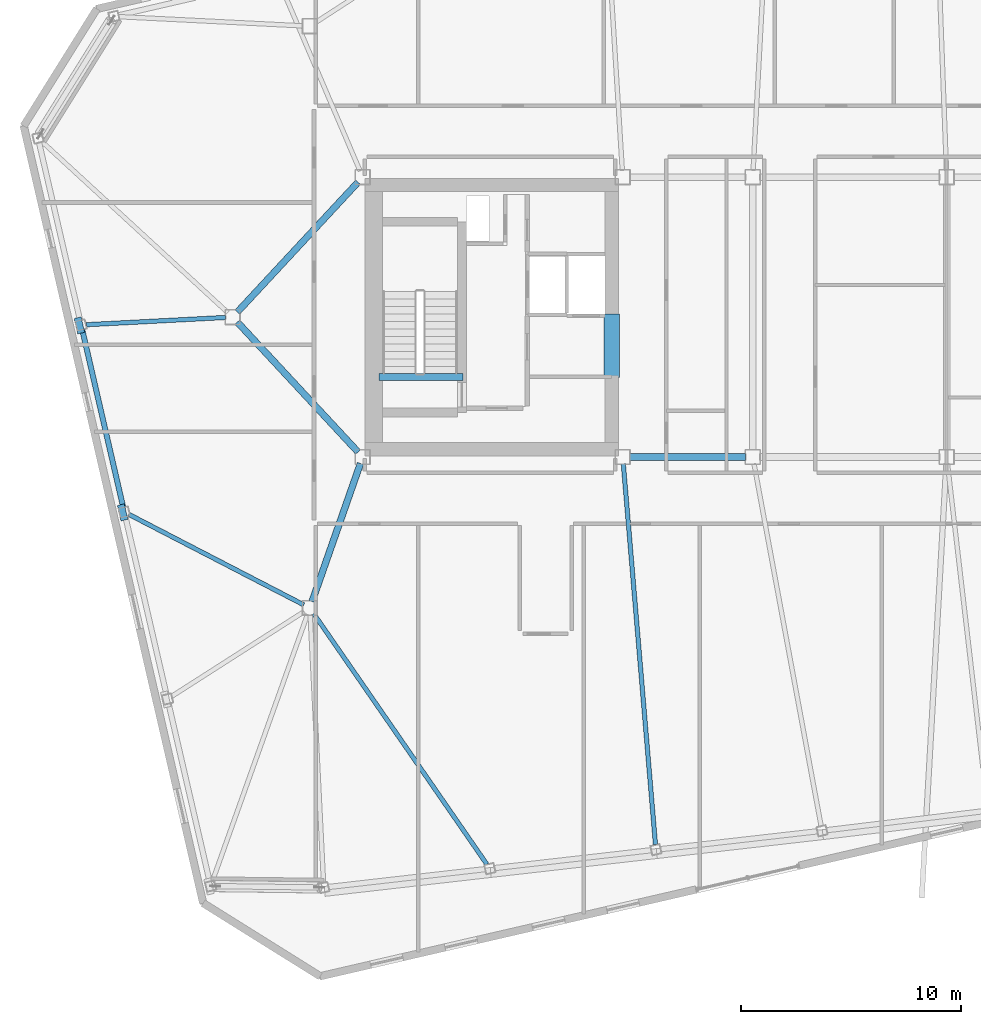
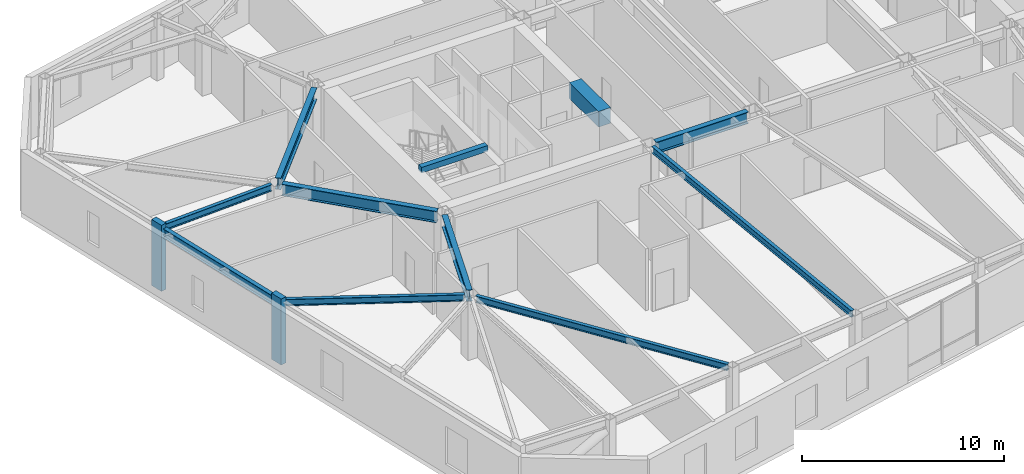
# One storey, part 6 of 24: 11 beams, 2 members.
"""IFC4 building model written with IfcOpenShell, lengths in metres."""

from ifc_helpers import new_model, si_unit, direction, frame, origin, origin_2d, place, context, subcontext, project, spatial, rectangle, i_section, extrude, material, material_profile, profile_set, type_object, element, save


model = new_model("IFC4")

# Units and contexts
model_context = context("Model", 3, precision=1e-05, world=origin(), true_north=direction((0.0, 1.0)))
body_context = subcontext(model_context, "Body", "Model", "MODEL_VIEW")
ifc_project = project(units=[si_unit("LENGTHUNIT", "METRE"), si_unit("AREAUNIT", "SQUARE_METRE"), si_unit("VOLUMEUNIT", "CUBIC_METRE"), si_unit("PLANEANGLEUNIT", "RADIAN"), si_unit("MASSUNIT", "GRAM", prefix="KILO")], contexts=[model_context])

# Site, building, storey
site_placement = place(None, origin())
site = spatial("IfcSite", under=ifc_project, at=site_placement, CompositionType="ELEMENT")
building_placement = place(site_placement, origin())
building = spatial("IfcBuilding", under=site, at=building_placement, Name="Tavrogorsk Clinical Tower", CompositionType="ELEMENT")
storey_placement = place(building_placement, frame((0.0, 0.0, 321.0)))
storey = spatial("IfcBuildingStorey", under=building, at=storey_placement, Name="L75", CompositionType="ELEMENT", Elevation=321.0)

# Beams
ifc_material_1 = material(Name="Concrete B80", Category="concrete")
ifc_material_profile_1 = material_profile(ifc_material_1, rectangle(XDim=0.699951171875, YDim=0.949951171875, at=origin_2d()), Name="RC-CB-700x950")
ifc_profile_set_1 = profile_set([ifc_material_profile_1], Name="Concrete B80")
beam_type_1 = type_object("IfcBeamType", Name="CouplingBeam_RC700x950", PredefinedType="LINTEL", material=ifc_profile_set_1)
beam_1_placement = place(storey_placement, frame((-10.800048828125, -2.75, 3.264892578125), z_axis=(0.0, 1.0, 0.0), x_axis=(-1.0, 0.0, 0.0)))
element("IfcBeam", 1, at=beam_1_placement, inside=storey, type_object=beam_type_1, Name="L75 Core West Coupling Beam", PredefinedType="LINTEL", context=body_context, shape_type="SweptSolid", body=[
    extrude(rectangle(XDim=0.699951171875, YDim=0.949951171875, at=origin_2d()), origin(), (0.0, 0.0, 1.0), 2.89990234375),
])
ifc_material_2 = material(Name="Structural steel S355", Category="steel")
ifc_material_profile_2 = material_profile(ifc_material_2, i_section(OverallWidth=0.199951171875, OverallDepth=0.39990234375, WebThickness=0.010498046875, FlangeThickness=0.01611328125, at=origin_2d()), Name="B-400x200x10.5x16")
ifc_profile_set_2 = profile_set([ifc_material_profile_2], Name="Structural steel S355")
beam_type_2 = type_object("IfcBeamType", Name="FloorBeam_B400", PredefinedType="BEAM", material=ifc_profile_set_2)
beam_2_placement = place(storey_placement, frame((-24.32373046875, -13.455078125, 3.5400390625), z_axis=(0.568335848504, -0.82279667191, 0.0), x_axis=(0.82279667191, 0.568335848504, 0.0)))
element("IfcBeam", 2, at=beam_2_placement, inside=storey, type_object=beam_type_2, Name="L75 Radial Floor Beam S2", PredefinedType="BEAM", context=body_context, shape_type="SweptSolid", body=[
    extrude(i_section(OverallWidth=0.199951171875, OverallDepth=0.39990234375, WebThickness=0.010498046875, FlangeThickness=0.01611328125, at=origin_2d()), origin(), (0.0, 0.0, 1.0), 13.831298828125),
])
beam_3_placement = place(storey_placement, frame((-10.27392578125, -6.658935546875, 3.5400390625), z_axis=(0.084215365049, -0.996447576288, 0.0), x_axis=(0.996447576288, 0.084215365049, 0.0)))
element("IfcBeam", 3, at=beam_3_placement, inside=storey, type_object=beam_type_2, Name="L75 Radial Floor Beam S3", PredefinedType="BEAM", context=body_context, shape_type="SweptSolid", body=[
    extrude(i_section(OverallWidth=0.199951171875, OverallDepth=0.39990234375, WebThickness=0.010498046875, FlangeThickness=0.01611328125, at=origin_2d()), origin(), (0.0, 0.0, 1.0), 17.3388671875),
])
beam_4_placement = place(storey_placement, frame((-28.3095703125, -0.01611328125, 3.5400390625), z_axis=(-0.99864101713, -0.052116397656, 0.0), x_axis=(0.052116397656, -0.99864101713, 0.0)))
element("IfcBeam", 4, at=beam_4_placement, inside=storey, type_object=beam_type_2, Name="L75 Radial Floor Beam W2", PredefinedType="BEAM", context=body_context, shape_type="SweptSolid", body=[
    extrude(i_section(OverallWidth=0.199951171875, OverallDepth=0.39990234375, WebThickness=0.010498046875, FlangeThickness=0.01611328125, at=origin_2d()), origin(), (0.0, 0.0, 1.0), 6.3427734375),
])
beam_5_placement = place(storey_placement, frame((-24.775390625, -13.0576171875, 3.5400390625), z_axis=(-0.888188417157, 0.459479418069, 0.0), x_axis=(-0.459479418069, -0.888188417157, 0.0)))
element("IfcBeam", 5, at=beam_5_placement, inside=storey, type_object=beam_type_2, Name="L75 Radial Floor Beam W3", PredefinedType="BEAM", context=body_context, shape_type="SweptSolid", body=[
    extrude(i_section(OverallWidth=0.199951171875, OverallDepth=0.39990234375, WebThickness=0.010498046875, FlangeThickness=0.01611328125, at=origin_2d()), origin(), (0.0, 0.0, 1.0), 8.93408203125),
])

# Members
ifc_material_3 = material(Name="Precast concrete B45 with limestone cladding", Category="masonry")
ifc_material_profile_3 = material_profile(ifc_material_3, rectangle(XDim=0.320068359375, YDim=0.719970703125, at=origin_2d()), Name="LIMESTONE-FIN-320x720")
ifc_profile_set_3 = profile_set([ifc_material_profile_3], Name="Precast concrete B45 with limestone cladding")
member_type = type_object("IfcMemberType", Name="LimestonePleatFin_320x720", PredefinedType="USERDEFINED", material=ifc_profile_set_3)
for number, where, z_axis, x_axis, name in (
    (6, (-34.95458984375, -0.376708984375, 0.0), (0.0, 0.0, 1.0), (0.974370064785, 0.224951054344, 0.0), "L75 W Pleated Stone Fin 1"),
    (7, (-32.995361328125, -8.863525390625, 0.0), (0.0, 0.0, 1.0), (0.974370064785, 0.224951054344, 0.0), "L75 W Pleated Stone Fin 2"),
):
    element("IfcMember", number, at=place(storey_placement, frame(where, z_axis=z_axis, x_axis=x_axis)), inside=storey, type_object=member_type, Name=name, ObjectType="FIN", PredefinedType="USERDEFINED", context=body_context, shape_type="SweptSolid", body=[
        extrude(rectangle(XDim=0.320068359375, YDim=0.719970703125, at=origin_2d()), origin(), (0.0, 0.0, 1.0), 4.0),
    ])

# Beams
ifc_material_4 = material(Name="Structural steel S390", Category="steel")
ifc_material_profile_4 = material_profile(ifc_material_4, i_section(OverallWidth=0.300048828125, OverallDepth=0.699951171875, WebThickness=0.01708984375, FlangeThickness=0.028076171875, at=origin_2d()), Name="B-700x300x17x28")
ifc_profile_set_4 = profile_set([ifc_material_profile_4], Name="Structural steel S390")
beam_type_3 = type_object("IfcBeamType", Name="PrimaryGirder_B700", PredefinedType="USERDEFINED", material=ifc_profile_set_4)
beam_6_placement = place(storey_placement, frame((-9.989990234375, -6.35009765625, 3.389892578125), z_axis=(1.0, 0.0, 0.0), x_axis=(0.0, 1.0, 0.0)))
element("IfcBeam", 8, at=beam_6_placement, inside=storey, type_object=beam_type_3, Name="L75 Primary Spine Girder MG-01", ObjectType="GIRDER", PredefinedType="USERDEFINED", context=body_context, shape_type="SweptSolid", body=[
    extrude(i_section(OverallWidth=0.300048828125, OverallDepth=0.699951171875, WebThickness=0.01708984375, FlangeThickness=0.028076171875, at=origin_2d()), origin(), (0.0, 0.0, 1.0), 5.280029296875),
])
beam_7_placement = place(storey_placement, frame((-24.3974609375, -12.907470703125, 3.389892578125), z_axis=(0.330666578092, 0.943747643246, 0.0), x_axis=(-0.943747643246, 0.330666578092, 0.0)))
element("IfcBeam", 9, at=beam_7_placement, inside=storey, type_object=beam_type_3, Name="L75 Spine Link Girder OPG-1", ObjectType="GIRDER", PredefinedType="USERDEFINED", context=body_context, shape_type="SweptSolid", body=[
    extrude(i_section(OverallWidth=0.300048828125, OverallDepth=0.699951171875, WebThickness=0.01708984375, FlangeThickness=0.028076171875, at=origin_2d()), origin(), (0.0, 0.0, 1.0), 6.638427734375),
])
for number, where, z_axis, x_axis, name in (
    (10, (-27.7890625, -0.22705078125, 3.389892578125), (0.680677963005, -0.732582767119, 0.0), (0.732582767119, 0.680677963005, 0.0), "L75 Spine Link Girder OPG-5"),
    (11, (-27.7890625, 0.22705078125, 3.389892578125), (0.680677963005, 0.732582767119, 0.0), (-0.732582767119, 0.680677963005, 0.0), "L75 Spine Link Girder OPG-6"),
):
    element("IfcBeam", number, at=place(storey_placement, frame(where, z_axis=z_axis, x_axis=x_axis)), inside=storey, type_object=beam_type_3, Name=name, ObjectType="GIRDER", PredefinedType="USERDEFINED", context=body_context, shape_type="SweptSolid", body=[
        extrude(i_section(OverallWidth=0.300048828125, OverallDepth=0.699951171875, WebThickness=0.01708984375, FlangeThickness=0.028076171875, at=origin_2d()), origin(), (0.0, 0.0, 1.0), 8.0478515625),
    ])
ifc_material_5 = material(Name="Structural steel S390", Category="steel")
ifc_material_profile_5 = material_profile(ifc_material_5, i_section(OverallWidth=0.239990234375, OverallDepth=0.550048828125, WebThickness=0.013916015625, FlangeThickness=0.02197265625, at=origin_2d()), Name="B-550x240x14x22")
ifc_profile_set_5 = profile_set([ifc_material_profile_5], Name="Structural steel S390")
beam_type_4 = type_object("IfcBeamType", Name="SpandrelBeam_B550", PredefinedType="SPANDREL", material=ifc_profile_set_5)
beam_8_placement = place(storey_placement, frame((-34.82421875, -0.585693359375, 3.465087890625), z_axis=(0.224950345141, -0.974370228517, 0.0), x_axis=(0.974370228517, 0.224950345141, 0.0)))
element("IfcBeam", 12, at=beam_8_placement, inside=storey, type_object=beam_type_4, Name="L75 Perimeter Spandrel W2-W3", PredefinedType="SPANDREL", context=body_context, shape_type="SweptSolid", body=[
    extrude(i_section(OverallWidth=0.239990234375, OverallDepth=0.550048828125, WebThickness=0.013916015625, FlangeThickness=0.02197265625, at=origin_2d()), origin(), (0.0, 0.0, 1.0), 8.243896484375),
])
ifc_material_6 = material(Name="Concrete B60", Category="concrete")
ifc_material_profile_6 = material_profile(ifc_material_6, rectangle(XDim=0.300048828125, YDim=0.35009765625, at=origin_2d()), Name="RC-SHB-300x350")
ifc_profile_set_6 = profile_set([ifc_material_profile_6], Name="Concrete B60")
beam_type_5 = type_object("IfcBeamType", Name="StairHeaderBeam_RC300x350", PredefinedType="BEAM", material=ifc_profile_set_6)
beam_9_placement = place(storey_placement, frame((-21.35009765625, -2.719970703125, 3.824951171875), z_axis=(1.0, 0.0, 0.0), x_axis=(0.0, 1.0, 0.0)))
element("IfcBeam", 13, at=beam_9_placement, inside=storey, type_object=beam_type_5, Name="L76 ST-W Landing Header Beam", PredefinedType="BEAM", context=body_context, shape_type="SweptSolid", body=[
    extrude(rectangle(XDim=0.300048828125, YDim=0.35009765625, at=origin_2d()), origin(), (0.0, 0.0, 1.0), 3.800048828125),
])

save(model, "model.ifc")
